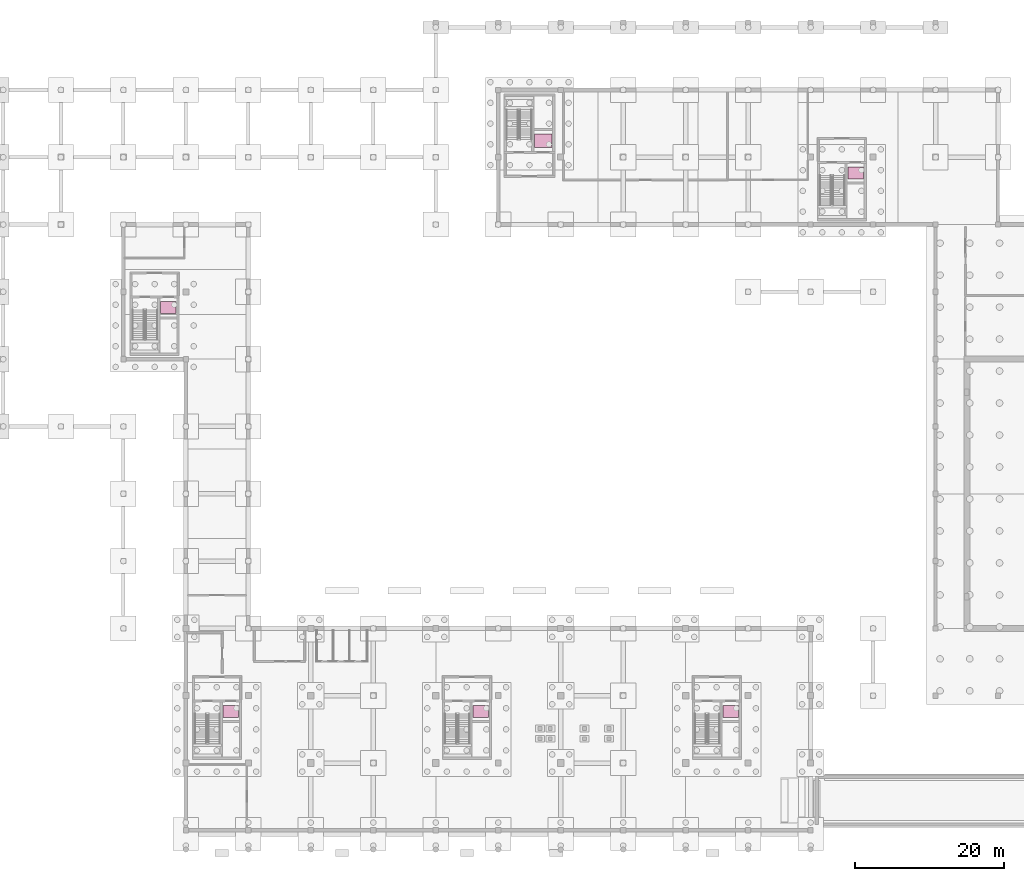
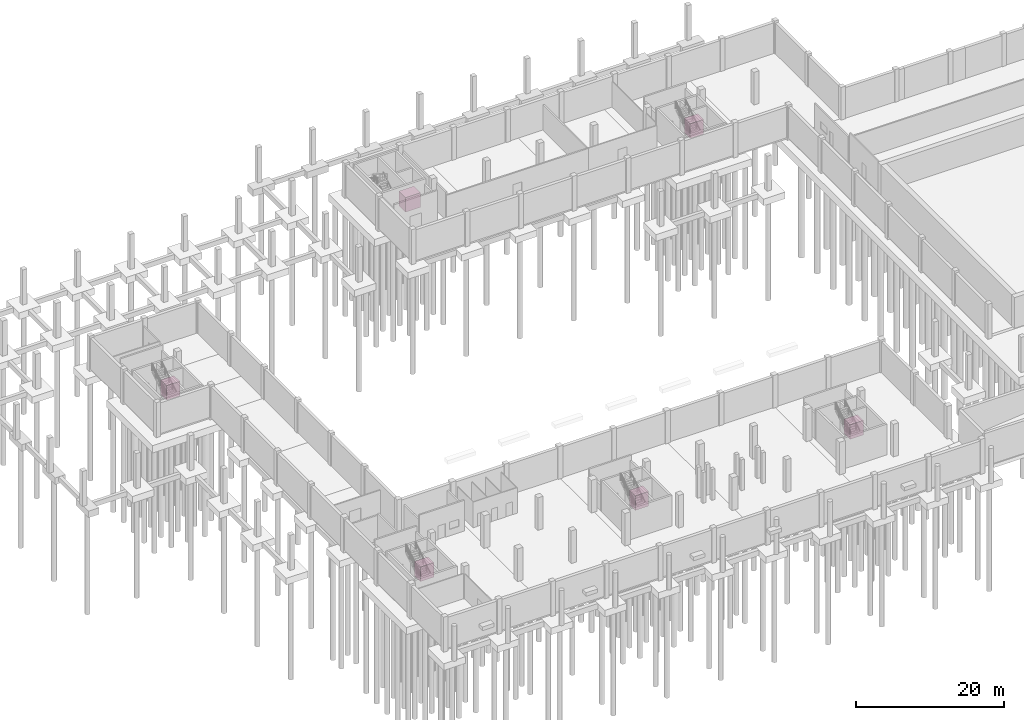
# One storey, part 18 of 18: 6 transport elements.
"""IFC4 building model written with IfcOpenShell, lengths in metres."""

from ifc_helpers import new_model, si_unit, direction, frame, origin, origin_2d, place, context, subcontext, project, spatial, rectangle, extrude, material, type_object, element, save


model = new_model("IFC4")

# Units and contexts
model_context = context("Model", 3, precision=1e-05, world=origin(), true_north=direction((0.0, 1.0)))
body_context = subcontext(model_context, "Body", "Model", "MODEL_VIEW")
ifc_project = project(units=[si_unit("LENGTHUNIT", "METRE"), si_unit("AREAUNIT", "SQUARE_METRE"), si_unit("VOLUMEUNIT", "CUBIC_METRE"), si_unit("PLANEANGLEUNIT", "RADIAN"), si_unit("MASSUNIT", "GRAM", prefix="KILO")], contexts=[model_context])

# Site, building, storey
site_placement = place(None, origin())
site = spatial("IfcSite", under=ifc_project, at=site_placement, CompositionType="ELEMENT")
building_placement = place(site_placement, origin())
building = spatial("IfcBuilding", under=site, at=building_placement, Name="Khurvash Pelagic Aquarium", CompositionType="ELEMENT")
storey_placement = place(building_placement, frame((0.0, 0.0, -5.39990234375)))
storey = spatial("IfcBuildingStorey", under=building, at=storey_placement, Name="B1", CompositionType="ELEMENT", Elevation=-5.39990234375)

# Transport elements
ifc_material = material(Name="Brushed stainless steel 316", Category="steel")
transport_element_type_1 = type_object("IfcTransportElementType", Name="LFT-FF", PredefinedType="ELEVATOR", material=ifc_material)
for number, where, z_axis, x_axis, name in (
    (1, (31.25, 18.60009765625, 0.0), (0.0, 0.0, 1.0), (1.0, 0.0, 0.0), "Firefighting Lift FL-01"),
    (2, (98.449951171875, 18.60009765625, 0.0), (0.0, 0.0, 1.0), (1.0, 0.0, 0.0), "Firefighting Lift FL-02"),
):
    element("IfcTransportElement", number, at=place(storey_placement, frame(where, z_axis=z_axis, x_axis=x_axis)), inside=storey, type_object=transport_element_type_1, Name=name, PredefinedType="ELEVATOR", context=body_context, shape_type="SweptSolid", body=[
        extrude(rectangle(XDim=2.10009765625, YDim=1.60009765625, at=origin_2d()), origin(), (0.0, 0.0, 1.0), 2.39990234375),
    ])
transport_element_type_2 = type_object("IfcTransportElementType", Name="LFT-GD", PredefinedType="ELEVATOR", material=ifc_material)
transport_element_placement = place(storey_placement, frame((73.25, 95.300048828125, 0.0), z_axis=(0.0, 0.0, 1.0), x_axis=(1.0, 0.0, 0.0)))
element("IfcTransportElement", 3, at=transport_element_placement, inside=storey, type_object=transport_element_type_2, Name="Goods Lift GL-01", PredefinedType="ELEVATOR", context=body_context, shape_type="SweptSolid", body=[
    extrude(rectangle(XDim=2.340087890625, YDim=1.800048828125, at=origin_2d()), origin(), (0.0, 0.0, 1.0), 2.39990234375),
])
transport_element_type_3 = type_object("IfcTransportElementType", Name="LFT-PS", PredefinedType="ELEVATOR", material=ifc_material)
for number, where, z_axis, x_axis, name in (
    (4, (64.85009765625, 18.60009765625, 0.0), (0.0, 0.0, 1.0), (1.0, 0.0, 0.0), "Passenger Lift PL-01"),
    (5, (22.85009765625, 72.89990234375, 0.0), (0.0, 0.0, 1.0), (1.0, 0.0, 0.0), "Passenger Lift PL-02"),
    (6, (115.25, 91.0, 0.0), (0.0, 0.0, 1.0), (1.0, 0.0, 0.0), "Passenger Lift PL-03"),
):
    element("IfcTransportElement", number, at=place(storey_placement, frame(where, z_axis=z_axis, x_axis=x_axis)), inside=storey, type_object=transport_element_type_3, Name=name, PredefinedType="ELEVATOR", context=body_context, shape_type="SweptSolid", body=[
        extrude(rectangle(XDim=2.10009765625, YDim=1.60009765625, at=origin_2d()), origin(), (0.0, 0.0, 1.0), 2.39990234375),
    ])

save(model, "model.ifc")
